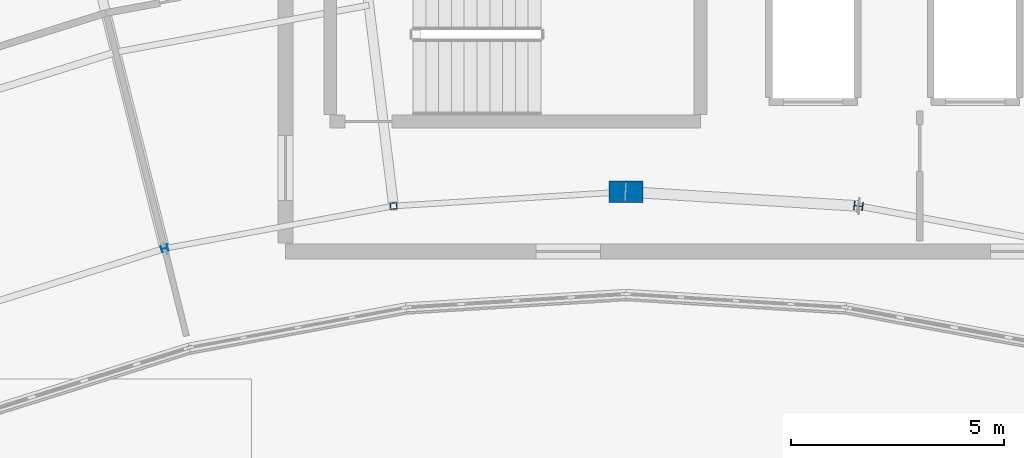
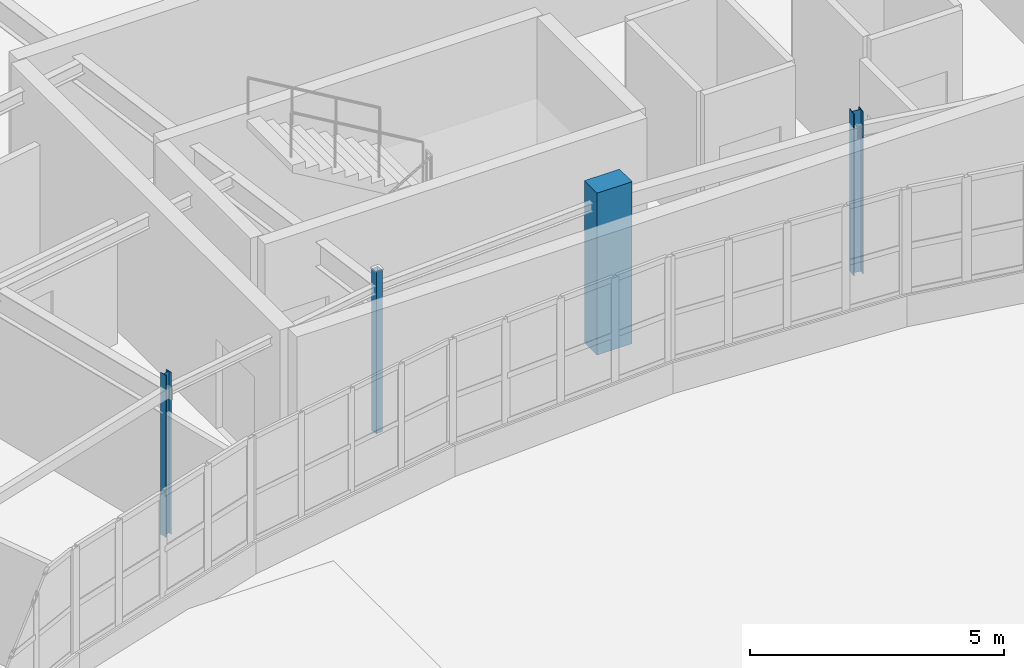
# One storey, part 10 of 128: 4 columns.
"""IFC4 building model written with IfcOpenShell, lengths in metres."""

import ifcopenshell
import ifcopenshell.guid

model = None  # the IFC model being written
_history = None  # IfcOwnerHistory: only IFC2X3 demands one
_inside = {}  # id of a spatial element -> (the spatial element, [elements in it])
_under = {}  # id of a project, library or spatial element -> (it, [spatial elements below it])
_declared = {}  # id of a project -> (the project, [libraries it declares])
_typed = {}  # id of a type object -> (the type object, [elements of that type])
_made_of = {}  # id of a material, layer set ... -> (it, [elements and type objects made of it])


def new_model(schema):
    """Start an empty IFC model of exactly this schema.

    Asked for "IFC4X3", IfcOpenShell would pick the latest addendum, in which some entities
    have other attributes; the version numbers below select the first issue.
    IFC2X3 requires an IfcOwnerHistory on every rooted entity: one is made here for all.
    """
    global model, _history
    if schema == "IFC4X3":
        model = ifcopenshell.file(schema_version=(4, 3, 0, 0))
    else:
        model = ifcopenshell.file(schema=schema)
    _inside.clear()
    _under.clear()
    _declared.clear()
    _typed.clear()
    _made_of.clear()
    _history = None
    if model.schema == "IFC2X3":
        org = make("IfcOrganization", Name="unknown")
        user = make(
            "IfcPersonAndOrganization",
            ThePerson=make("IfcPerson", FamilyName="unknown"),
            TheOrganization=org,
        )
        app = make(
            "IfcApplication",
            ApplicationDeveloper=org,
            Version="unknown",
            ApplicationFullName="unknown",
            ApplicationIdentifier="unknown",
        )
        _history = make(
            "IfcOwnerHistory",
            OwningUser=user,
            OwningApplication=app,
            ChangeAction="ADDED",
            CreationDate=0,
        )
    return model


def make(cls, **values):
    """One entity of the class cls with the attributes given. An attribute that is None is left unset."""
    return model.create_entity(
        cls, **{name: value for name, value in values.items() if value is not None}
    )


def rooted(cls, **values):
    """An entity with a GlobalId (a new one), such as an element, a storey or a relation."""
    return make(cls, GlobalId=ifcopenshell.guid.new(), OwnerHistory=_history, **values)


def si_unit(unit_type, name, prefix=None):
    """IfcSIUnit, for example si_unit("LENGTHUNIT", "METRE", prefix="MILLI")."""
    return make("IfcSIUnit", UnitType=unit_type, Prefix=prefix, Name=name)


def assignment(units):
    """IfcUnitAssignment: the units of a project."""
    return None if units is None else make("IfcUnitAssignment", Units=units)


def point(xyz):
    """IfcCartesianPoint."""
    return None if xyz is None else make("IfcCartesianPoint", Coordinates=xyz)


def direction(xyz):
    """IfcDirection."""
    return None if xyz is None else make("IfcDirection", DirectionRatios=xyz)


def frame(location, z_axis=None, x_axis=None):
    """IfcAxis2Placement3D, a coordinate frame: its origin and axes. An axis left out is left unset."""
    return make(
        "IfcAxis2Placement3D",
        Location=point(location),
        Axis=direction(z_axis),
        RefDirection=direction(x_axis),
    )


def frame_2d(location, x_axis=None):
    """IfcAxis2Placement2D, a coordinate frame in the plane: its origin and x axis."""
    return make(
        "IfcAxis2Placement2D", Location=point(location), RefDirection=direction(x_axis)
    )


def origin():
    """The frame at (0, 0, 0) with its axes left unset."""
    return frame((0.0, 0.0, 0.0))


def origin_2d():
    """The frame at (0, 0) in the plane with its x axis left unset."""
    return frame_2d((0.0, 0.0))


def place(relative_to, where):
    """IfcLocalPlacement: puts the frame where relative to a parent placement (None: the world)."""
    return make(
        "IfcLocalPlacement", PlacementRelTo=relative_to, RelativePlacement=where
    )


def context(
    kind, dimensions, precision=None, world=None, true_north=None, identifier=None
):
    """IfcGeometricRepresentationContext, for example the 3D "Model" context."""
    return make(
        "IfcGeometricRepresentationContext",
        ContextIdentifier=identifier,
        ContextType=kind,
        CoordinateSpaceDimension=dimensions,
        Precision=precision,
        WorldCoordinateSystem=world,
        TrueNorth=true_north,
    )


def subcontext(parent, identifier, kind, view, scale=None):
    """IfcGeometricRepresentationSubContext, for example "Body" below "Model"."""
    return make(
        "IfcGeometricRepresentationSubContext",
        ContextIdentifier=identifier,
        ContextType=kind,
        ParentContext=parent,
        TargetScale=scale,
        TargetView=view,
    )


def project(units=None, contexts=None):
    """IfcProject with its units and contexts."""
    return rooted(
        "IfcProject",
        Name="project",
        RepresentationContexts=contexts,
        UnitsInContext=assignment(units),
    )


def spatial(cls, under=None, at=None, **own):
    """A site, building, storey or space (cls), placed at a placement, below another one or the project."""
    s = rooted(cls, ObjectPlacement=at, **own)
    if under is not None:
        _under.setdefault(under.id(), (under, []))[1].append(s)
    return s


def profile(cls, at=None, kind="AREA", **sizes):
    """A parametric profile (cls). Its sizes go by their IFC names, for example OverallWidth=200.0."""
    return make(cls, ProfileType=kind, Position=at, **sizes)


def rectangle(**sizes):
    """IfcRectangleProfileDef."""
    return profile("IfcRectangleProfileDef", **sizes)


def hollow_rectangle(**sizes):
    """IfcRectangleHollowProfileDef."""
    return profile("IfcRectangleHollowProfileDef", **sizes)


def i_section(**sizes):
    """IfcIShapeProfileDef."""
    return profile("IfcIShapeProfileDef", **sizes)


def extrude(swept, where, along, depth):
    """IfcExtrudedAreaSolid: the profile swept, set in the frame where, extruded along a direction by depth."""
    return make(
        "IfcExtrudedAreaSolid",
        SweptArea=swept,
        Position=where,
        ExtrudedDirection=direction(along),
        Depth=depth,
    )


def shape(context_of_items, identifier, shape_type, items):
    """IfcShapeRepresentation: the items that make up one representation, for example the "Body"."""
    return make(
        "IfcShapeRepresentation",
        ContextOfItems=context_of_items,
        RepresentationIdentifier=identifier,
        RepresentationType=shape_type,
        Items=items,
    )


def material(Name=None, Category=None):
    """IfcMaterial."""
    return make("IfcMaterial", Name=Name, Category=Category)


def material_profile(
    of_material, cross_section, Name=None, Category=None, Priority=None
):
    """IfcMaterialProfile: a cross section and its material."""
    return make(
        "IfcMaterialProfile",
        Name=Name,
        Material=of_material,
        Profile=cross_section,
        Priority=Priority,
        Category=Category,
    )


def profile_set(profiles, Name=None, composite=None):
    """IfcMaterialProfileSet."""
    return make(
        "IfcMaterialProfileSet",
        Name=Name,
        MaterialProfiles=profiles,
        CompositeProfile=composite,
    )


def made_of(thing, what):
    """Note that an element or type object is made of a material, layer set ...; save() writes the relation."""
    if what is not None:
        _made_of.setdefault(what.id(), (what, []))[1].append(thing)
    return thing


def type_object(cls, material=None, **own):
    """A type object (cls), such as IfcWallType, which elements share."""
    return made_of(rooted(cls, **own), material)


def element(
    cls,
    number,
    at=None,
    inside=None,
    cuts=None,
    type_object=None,
    material=None,
    context=None,
    identifier="Body",
    shape_type=None,
    held_by="IfcProductDefinitionShape",
    body=None,
    shapes=None,
    **own,
):
    """One element of the class cls, such as IfcWall. Its Tag is "e" and its number.

    at: its placement. inside: the storey or other place that contains it. cuts: it is an
    opening in that element (IfcRelVoidsElement). A single representation is given by context,
    identifier, shape_type and body (its items); several are given by shapes. held_by: the class
    of the entity that holds the representations. save() writes the other relations.
    """
    e = rooted(cls, Tag="e%d" % number, ObjectPlacement=at, **own)
    if body is not None:
        shapes = [shape(context, identifier, shape_type, body)]
    if shapes is not None:
        e.Representation = make(held_by, Representations=shapes)
    if inside is not None:
        _inside.setdefault(inside.id(), (inside, []))[1].append(e)
    if cuts is not None:
        rooted(
            "IfcRelVoidsElement", RelatingBuildingElement=cuts, RelatedOpeningElement=e
        )
    if type_object is not None:
        _typed.setdefault(type_object.id(), (type_object, []))[1].append(e)
    return made_of(e, material)


def aggregate(whole, parts):
    """IfcRelAggregates: a whole, such as a stair, and the parts it consists of."""
    return rooted("IfcRelAggregates", RelatingObject=whole, RelatedObjects=parts)


def save(model, path):
    """Write the relations noted so far, then the file.

    IfcRelAggregates (storeys below a building ...), IfcRelContainedInSpatialStructure (elements
    in a storey), IfcRelDefinesByType, IfcRelAssociatesMaterial and IfcRelDeclares: one each for
    every whole, place, type object, material and project.
    """
    for whole, parts in _under.values():
        aggregate(whole, parts)
    for where, things in _inside.values():
        rooted(
            "IfcRelContainedInSpatialStructure",
            RelatedElements=things,
            RelatingStructure=where,
        )
    for kind, things in _typed.values():
        rooted("IfcRelDefinesByType", RelatedObjects=things, RelatingType=kind)
    for what, things in _made_of.values():
        rooted("IfcRelAssociatesMaterial", RelatedObjects=things, RelatingMaterial=what)
    for by, libraries in _declared.values():
        rooted("IfcRelDeclares", RelatingContext=by, RelatedDefinitions=libraries)
    model.write(path)


model = new_model("IFC4")

# Units and contexts
model_context = context("Model", 3, precision=1e-05, world=origin(), true_north=direction((0.0, 1.0)))
body_context = subcontext(model_context, "Body", "Model", "MODEL_VIEW")
ifc_project = project(units=[si_unit("LENGTHUNIT", "METRE"), si_unit("AREAUNIT", "SQUARE_METRE"), si_unit("VOLUMEUNIT", "CUBIC_METRE"), si_unit("PLANEANGLEUNIT", "RADIAN"), si_unit("MASSUNIT", "GRAM", prefix="KILO")], contexts=[model_context])

# Site, building, storey
site_placement = place(None, origin())
site = spatial("IfcSite", under=ifc_project, at=site_placement, CompositionType="ELEMENT")
building_placement = place(site_placement, origin())
building = spatial("IfcBuilding", under=site, at=building_placement, Name="Tarnwether General Hospital", CompositionType="ELEMENT")
storey_placement = place(building_placement, frame((0.0, 0.0, 14.39990234375)))
storey = spatial("IfcBuildingStorey", under=building, at=storey_placement, Name="L03", CompositionType="ELEMENT", Elevation=14.39990234375)

# Columns
ifc_material_1 = material(Name="Concrete 50 MPa", Category="concrete")
ifc_material_profile_1 = material_profile(ifc_material_1, rectangle(XDim=0.5, YDim=0.800048828125, at=origin_2d()), Name="RC-PIL-500x800")
ifc_profile_set_1 = profile_set([ifc_material_profile_1], Name="Concrete 50 MPa")
column_type_1 = type_object("IfcColumnType", Name="COL-23", PredefinedType="PILASTER", material=ifc_profile_set_1)
column_1_placement = place(storey_placement, frame((92.0, 107.800048828125, 0.0), z_axis=(0.0, 0.0, 1.0), x_axis=(0.0, 1.0, 0.0)))
element("IfcColumn", 1, at=column_1_placement, inside=storey, type_object=column_type_1, Name="Column COLG-L03-9200_10780", PredefinedType="PILASTER", context=body_context, shape_type="SweptSolid", body=[
    extrude(rectangle(XDim=0.5, YDim=0.800048828125, at=origin_2d()), origin(), (0.0, 0.0, 1.0), 3.900146484375),
])
ifc_material_2 = material(Name="Steel Grade 350 (350 MPa)", Category="steel")
ifc_material_profile_2 = material_profile(ifc_material_2, i_section(OverallWidth=0.205078125, OverallDepth=0.2099609375, WebThickness=0.00927734375, FlangeThickness=0.01416015625, at=origin_2d()), Name="200UC59.5")
ifc_profile_set_2 = profile_set([ifc_material_profile_2], Name="Steel Grade 350 (350 MPa)")
column_type_2 = type_object("IfcColumnType", Name="COL-25", PredefinedType="COLUMN", material=ifc_profile_set_2)
column_2_placement = place(storey_placement, frame((97.4599609375, 107.466064453125, 0.0), z_axis=(0.0, 0.0, 1.0), x_axis=(0.121869343405, 0.992546151641, 0.0)))
element("IfcColumn", 2, at=column_2_placement, inside=storey, type_object=column_type_2, Name="Column COLG-L03-9746_10747", PredefinedType="COLUMN", context=body_context, shape_type="SweptSolid", body=[
    extrude(i_section(OverallWidth=0.205078125, OverallDepth=0.2099609375, WebThickness=0.00927734375, FlangeThickness=0.01416015625, at=origin_2d()), origin(), (0.0, 0.0, 1.0), 3.900146484375),
])
ifc_material_3 = material(Name="Steel Grade 350 (350 MPa)", Category="steel")
ifc_material_profile_3 = material_profile(ifc_material_3, i_section(OverallWidth=0.153076171875, OverallDepth=0.157958984375, WebThickness=0.006591796875, FlangeThickness=0.009521484375, at=origin_2d()), Name="150UC30.0")
ifc_profile_set_3 = profile_set([ifc_material_profile_3], Name="Steel Grade 350 (350 MPa)")
column_type_3 = type_object("IfcColumnType", Name="COL-31", PredefinedType="COLUMN", material=ifc_profile_set_3)
column_3_placement = place(storey_placement, frame((81.162109375, 106.468994140625, 0.0), z_axis=(0.0, 0.0, 1.0), x_axis=(-0.2419218956, 0.970295726276, 0.0)))
element("IfcColumn", 3, at=column_3_placement, inside=storey, type_object=column_type_3, Name="Column COLG-L03-8116_10647", PredefinedType="COLUMN", context=body_context, shape_type="SweptSolid", body=[
    extrude(i_section(OverallWidth=0.153076171875, OverallDepth=0.157958984375, WebThickness=0.006591796875, FlangeThickness=0.009521484375, at=origin_2d()), origin(), (0.0, 0.0, 1.0), 3.900146484375),
])
ifc_material_4 = material(Name="Steel Grade C350L0 (350 MPa)", Category="steel")
ifc_material_profile_4 = material_profile(ifc_material_4, hollow_rectangle(XDim=0.14990234375, YDim=0.14990234375, WallThickness=0.008056640625, at=origin_2d()), Name="SHS150x150x8")
ifc_profile_set_4 = profile_set([ifc_material_profile_4], Name="Steel Grade C350L0 (350 MPa)")
column_type_4 = type_object("IfcColumnType", Name="COL-33", PredefinedType="COLUMN", material=ifc_profile_set_4)
column_4_placement = place(storey_placement, frame((86.5400390625, 107.466064453125, 0.0), z_axis=(0.0, 0.0, 1.0), x_axis=(-0.121869343405, 0.992546151641, 0.0)))
element("IfcColumn", 4, at=column_4_placement, inside=storey, type_object=column_type_4, Name="Column COLG-L03-8654_10747", PredefinedType="COLUMN", context=body_context, shape_type="SweptSolid", body=[
    extrude(hollow_rectangle(XDim=0.14990234375, YDim=0.14990234375, WallThickness=0.008056640625, at=origin_2d()), origin(), (0.0, 0.0, 1.0), 3.900146484375),
])

save(model, "model.ifc")
